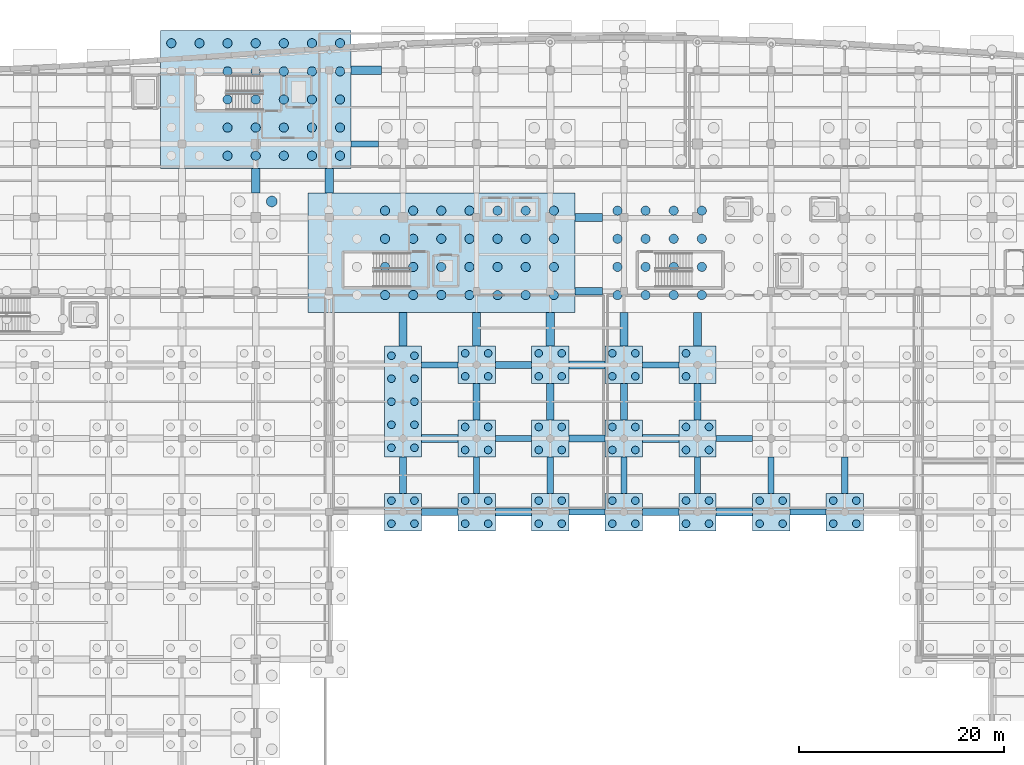
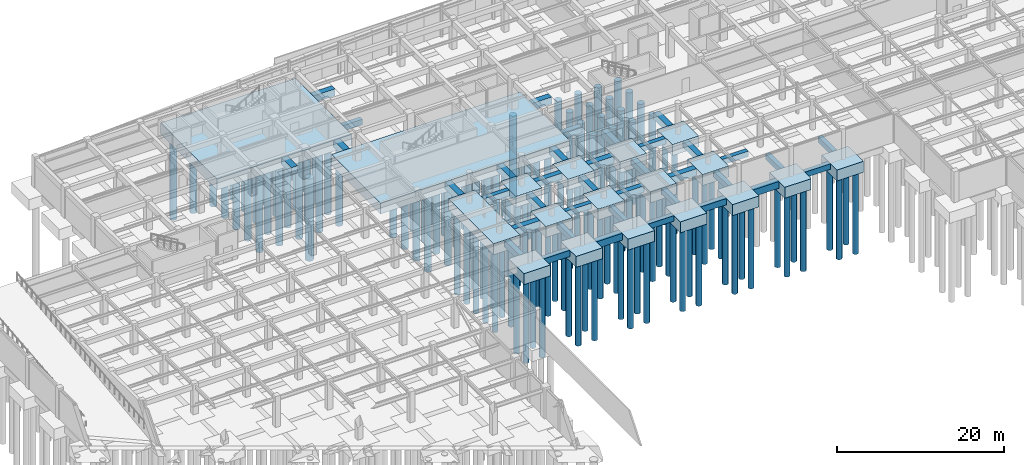
# One storey, part 6 of 48: 140 piles, 55 footings.
"""IFC4 building model written with IfcOpenShell, lengths in metres."""

from ifc_helpers import new_model, si_unit, direction, frame, origin, origin_2d, place, context, subcontext, project, spatial, rectangle, circle, extrude, material, material_profile, profile_set, type_object, element, save


model = new_model("IFC4")

# Units and contexts
model_context = context("Model", 3, precision=1e-05, world=origin(), true_north=direction((0.0, 1.0)))
body_context = subcontext(model_context, "Body", "Model", "MODEL_VIEW")
ifc_project = project(units=[si_unit("LENGTHUNIT", "METRE"), si_unit("AREAUNIT", "SQUARE_METRE"), si_unit("VOLUMEUNIT", "CUBIC_METRE"), si_unit("PLANEANGLEUNIT", "RADIAN"), si_unit("MASSUNIT", "GRAM", prefix="KILO")], contexts=[model_context])

# Site, building, storey
site_placement = place(None, origin())
site = spatial("IfcSite", under=ifc_project, at=site_placement, CompositionType="ELEMENT")
building_placement = place(site_placement, origin())
building = spatial("IfcBuilding", under=site, at=building_placement, Name="Carrowvane Square Congress Hotel", CompositionType="ELEMENT")
storey_placement = place(building_placement, frame((0.0, 0.0, -4.5)))
storey = spatial("IfcBuildingStorey", under=building, at=storey_placement, Name="B01", CompositionType="ELEMENT", Elevation=-4.5)

# Footings
ifc_material_1 = material(Name="Concrete C35/45", Category="concrete")
ifc_material_profile_1 = material_profile(ifc_material_1, rectangle(XDim=0.60009765625, YDim=0.800048828125, at=origin_2d()), Name="RC 600x800")
ifc_profile_set_1 = profile_set([ifc_material_profile_1], Name="Concrete C35/45")
footing_type_1 = type_object("IfcFootingType", Name="FTG-BM-600x800", PredefinedType="FOOTING_BEAM", material=ifc_profile_set_1)
for number, where, z_axis, x_axis, name in (
    (1, (83.60009765625, 72.02490234375, -0.39990234375), (0.0, 1.0, 0.0), (-1.0, 0.0, 0.0), "Ground tie beam 111"),
    (2, (90.800048828125, 72.02490234375, -0.39990234375), (0.0, 1.0, 0.0), (-1.0, 0.0, 0.0), "Ground tie beam 116"),
    (3, (98.0, 72.02490234375, -0.39990234375), (0.0, 1.0, 0.0), (-1.0, 0.0, 0.0), "Ground tie beam 121"),
    (4, (105.199951171875, 72.02490234375, -0.39990234375), (0.0, 1.0, 0.0), (-1.0, 0.0, 0.0), "Ground tie beam 126"),
    (5, (112.39990234375, 72.02490234375, -0.39990234375), (0.0, 1.0, 0.0), (-1.0, 0.0, 0.0), "Ground tie beam 131"),
    (6, (119.60009765625, 72.02490234375, -0.39990234375), (0.0, 1.0, 0.0), (-1.0, 0.0, 0.0), "Ground tie beam 136"),
    (7, (92.625, 70.199951171875, -0.39990234375), (1.0, 0.0, 0.0), (0.0, 1.0, 0.0), "Ground tie beam 379"),
):
    element("IfcFooting", number, at=place(storey_placement, frame(where, z_axis=z_axis, x_axis=x_axis)), inside=storey, type_object=footing_type_1, Name=name, PredefinedType="FOOTING_BEAM", context=body_context, shape_type="SweptSolid", body=[
        extrude(rectangle(XDim=0.60009765625, YDim=0.800048828125, at=origin_2d()), origin(), (0.0, 0.0, 1.0), 3.550048828125),
    ])
footing_1_placement = place(storey_placement, frame((114.22509765625, 70.199951171875, -0.39990234375), z_axis=(1.0, 0.0, 0.0), x_axis=(0.0, 1.0, 0.0)))
element("IfcFooting", 8, at=footing_1_placement, inside=storey, type_object=footing_type_1, Name="Ground tie beam 382", PredefinedType="FOOTING_BEAM", context=body_context, shape_type="SweptSolid", body=[
    extrude(rectangle(XDim=0.60009765625, YDim=0.800048828125, at=origin_2d()), origin(), (0.0, 0.0, 1.0), 3.5498046875),
])
for number, where, z_axis, x_axis, name in (
    (9, (85.425048828125, 77.39990234375, -0.39990234375), (1.0, 0.0, 0.0), (0.0, 1.0, 0.0), "Ground tie beam 402"),
    (10, (107.02490234375, 77.39990234375, -0.39990234375), (1.0, 0.0, 0.0), (0.0, 1.0, 0.0), "Ground tie beam 405"),
):
    element("IfcFooting", number, at=place(storey_placement, frame(where, z_axis=z_axis, x_axis=x_axis)), inside=storey, type_object=footing_type_1, Name=name, PredefinedType="FOOTING_BEAM", context=body_context, shape_type="SweptSolid", body=[
        extrude(rectangle(XDim=0.60009765625, YDim=0.800048828125, at=origin_2d()), origin(), (0.0, 0.0, 1.0), 3.550048828125),
    ])
footing_2_placement = place(storey_placement, frame((78.22509765625, 84.60009765625, -0.39990234375), z_axis=(1.0, 0.0, 0.0), x_axis=(0.0, 1.0, 0.0)))
element("IfcFooting", 11, at=footing_2_placement, inside=storey, type_object=footing_type_1, Name="Ground tie beam 425", PredefinedType="FOOTING_BEAM", context=body_context, shape_type="SweptSolid", body=[
    extrude(rectangle(XDim=0.60009765625, YDim=0.800048828125, at=origin_2d()), origin(), (0.0, 0.0, 1.0), 3.5498046875),
])
footing_3_placement = place(storey_placement, frame((99.824951171875, 84.60009765625, -0.39990234375), z_axis=(1.0, 0.0, 0.0), x_axis=(0.0, 1.0, 0.0)))
element("IfcFooting", 12, at=footing_3_placement, inside=storey, type_object=footing_type_1, Name="Ground tie beam 428", PredefinedType="FOOTING_BEAM", context=body_context, shape_type="SweptSolid", body=[
    extrude(rectangle(XDim=0.60009765625, YDim=0.800048828125, at=origin_2d()), origin(), (0.0, 0.0, 1.0), 3.550048828125),
])
footing_4_placement = place(storey_placement, frame((71.300048828125, 106.199951171875, -0.39990234375), z_axis=(1.0, 0.0, 0.0), x_axis=(0.0, 1.0, 0.0)))
element("IfcFooting", 13, at=footing_4_placement, inside=storey, type_object=footing_type_1, Name="Ground tie beam 467", PredefinedType="FOOTING_BEAM", context=body_context, shape_type="SweptSolid", body=[
    extrude(rectangle(XDim=0.60009765625, YDim=0.800048828125, at=origin_2d()), origin(), (0.0, 0.0, 1.0), 2.699951171875),
])
ifc_material_2 = material(Name="Concrete C35/45", Category="concrete")
ifc_material_profile_2 = material_profile(ifc_material_2, rectangle(XDim=0.699951171875, YDim=0.89990234375, at=origin_2d()), Name="RC 700x900")
ifc_profile_set_2 = profile_set([ifc_material_profile_2], Name="Concrete C35/45")
footing_type_2 = type_object("IfcFootingType", Name="FTG-BM-700x900", PredefinedType="FOOTING_BEAM", material=ifc_profile_set_2)
footing_5_placement = place(storey_placement, frame((76.39990234375, 72.02490234375, -0.449951171875), z_axis=(0.0, 1.0, 0.0), x_axis=(-1.0, 0.0, 0.0)))
element("IfcFooting", 14, at=footing_5_placement, inside=storey, type_object=footing_type_2, Name="Ground tie beam 107", PredefinedType="FOOTING_BEAM", context=body_context, shape_type="SweptSolid", body=[
    extrude(rectangle(XDim=0.699951171875, YDim=0.89990234375, at=origin_2d()), origin(), (0.0, 0.0, 1.0), 3.550048828125),
])
for number, where, z_axis, x_axis, name in (
    (15, (83.60009765625, 79.22509765625, -0.449951171875), (0.0, 1.0, 0.0), (-1.0, 0.0, 0.0), "Ground tie beam 112"),
    (16, (90.800048828125, 79.22509765625, -0.449951171875), (0.0, 1.0, 0.0), (-1.0, 0.0, 0.0), "Ground tie beam 117"),
    (17, (98.0, 79.22509765625, -0.449951171875), (0.0, 1.0, 0.0), (-1.0, 0.0, 0.0), "Ground tie beam 122"),
    (18, (105.199951171875, 79.22509765625, -0.449951171875), (0.0, 1.0, 0.0), (-1.0, 0.0, 0.0), "Ground tie beam 127"),
    (19, (78.22509765625, 70.199951171875, -0.449951171875), (1.0, 0.0, 0.0), (0.0, 1.0, 0.0), "Ground tie beam 377"),
):
    element("IfcFooting", number, at=place(storey_placement, frame(where, z_axis=z_axis, x_axis=x_axis)), inside=storey, type_object=footing_type_2, Name=name, PredefinedType="FOOTING_BEAM", context=body_context, shape_type="SweptSolid", body=[
        extrude(rectangle(XDim=0.699951171875, YDim=0.89990234375, at=origin_2d()), origin(), (0.0, 0.0, 1.0), 3.5498046875),
    ])
for number, where, z_axis, x_axis, name in (
    (20, (99.824951171875, 70.199951171875, -0.449951171875), (1.0, 0.0, 0.0), (0.0, 1.0, 0.0), "Ground tie beam 380"),
    (21, (92.625, 77.39990234375, -0.449951171875), (1.0, 0.0, 0.0), (0.0, 1.0, 0.0), "Ground tie beam 403"),
    (22, (85.425048828125, 84.60009765625, -0.449951171875), (1.0, 0.0, 0.0), (0.0, 1.0, 0.0), "Ground tie beam 426"),
):
    element("IfcFooting", number, at=place(storey_placement, frame(where, z_axis=z_axis, x_axis=x_axis)), inside=storey, type_object=footing_type_2, Name=name, PredefinedType="FOOTING_BEAM", context=body_context, shape_type="SweptSolid", body=[
        extrude(rectangle(XDim=0.699951171875, YDim=0.89990234375, at=origin_2d()), origin(), (0.0, 0.0, 1.0), 3.550048828125),
    ])
footing_6_placement = place(storey_placement, frame((93.199951171875, 91.800048828125, -0.449951171875), z_axis=(1.0, 0.0, 0.0), x_axis=(0.0, 1.0, 0.0)))
element("IfcFooting", 23, at=footing_6_placement, inside=storey, type_object=footing_type_2, Name="Ground tie beam 446", PredefinedType="FOOTING_BEAM", context=body_context, shape_type="SweptSolid", body=[
    extrude(rectangle(XDim=0.699951171875, YDim=0.89990234375, at=origin_2d()), origin(), (0.0, 0.0, 1.0), 2.699951171875),
])
ifc_material_3 = material(Name="Concrete C35/45", Category="concrete")
ifc_material_profile_3 = material_profile(ifc_material_3, rectangle(XDim=0.800048828125, YDim=1.0, at=origin_2d()), Name="RC 800x1000")
ifc_profile_set_3 = profile_set([ifc_material_profile_3], Name="Concrete C35/45")
footing_type_3 = type_object("IfcFootingType", Name="FTG-BM-800x1000", PredefinedType="FOOTING_BEAM", material=ifc_profile_set_3)
for number, where, z_axis, x_axis, name in (
    (24, (62.0, 101.39990234375, -0.5), (0.0, 1.0, 0.0), (-1.0, 0.0, 0.0), "Ground tie beam 101"),
    (25, (69.199951171875, 101.39990234375, -0.5), (0.0, 1.0, 0.0), (-1.0, 0.0, 0.0), "Ground tie beam 106"),
):
    element("IfcFooting", number, at=place(storey_placement, frame(where, z_axis=z_axis, x_axis=x_axis)), inside=storey, type_object=footing_type_3, Name=name, PredefinedType="FOOTING_BEAM", context=body_context, shape_type="SweptSolid", body=[
        extrude(rectangle(XDim=0.800048828125, YDim=1.0, at=origin_2d()), origin(), (0.0, 0.0, 1.0), 2.400146484375),
    ])
for number, where, z_axis, x_axis, name in (
    (26, (76.39990234375, 86.425048828125, -0.5), (0.0, 1.0, 0.0), (-1.0, 0.0, 0.0), "Ground tie beam 108"),
    (27, (83.60009765625, 86.425048828125, -0.5), (0.0, 1.0, 0.0), (-1.0, 0.0, 0.0), "Ground tie beam 113"),
    (28, (90.800048828125, 86.425048828125, -0.5), (0.0, 1.0, 0.0), (-1.0, 0.0, 0.0), "Ground tie beam 118"),
    (29, (98.0, 86.425048828125, -0.5), (0.0, 1.0, 0.0), (-1.0, 0.0, 0.0), "Ground tie beam 123"),
    (30, (105.199951171875, 86.425048828125, -0.5), (0.0, 1.0, 0.0), (-1.0, 0.0, 0.0), "Ground tie beam 128"),
):
    element("IfcFooting", number, at=place(storey_placement, frame(where, z_axis=z_axis, x_axis=x_axis)), inside=storey, type_object=footing_type_3, Name=name, PredefinedType="FOOTING_BEAM", context=body_context, shape_type="SweptSolid", body=[
        extrude(rectangle(XDim=0.800048828125, YDim=1.0, at=origin_2d()), origin(), (0.0, 0.0, 1.0), 3.27490234375),
    ])
for number, where, z_axis, x_axis, name in (
    (31, (85.425048828125, 70.199951171875, -0.5), (1.0, 0.0, 0.0), (0.0, 1.0, 0.0), "Ground tie beam 378"),
    (32, (107.02490234375, 70.199951171875, -0.5), (1.0, 0.0, 0.0), (0.0, 1.0, 0.0), "Ground tie beam 381"),
):
    element("IfcFooting", number, at=place(storey_placement, frame(where, z_axis=z_axis, x_axis=x_axis)), inside=storey, type_object=footing_type_3, Name=name, PredefinedType="FOOTING_BEAM", context=body_context, shape_type="SweptSolid", body=[
        extrude(rectangle(XDim=0.800048828125, YDim=1.0, at=origin_2d()), origin(), (0.0, 0.0, 1.0), 3.550048828125),
    ])
footing_7_placement = place(storey_placement, frame((78.22509765625, 77.39990234375, -0.5), z_axis=(1.0, 0.0, 0.0), x_axis=(0.0, 1.0, 0.0)))
element("IfcFooting", 33, at=footing_7_placement, inside=storey, type_object=footing_type_3, Name="Ground tie beam 401", PredefinedType="FOOTING_BEAM", context=body_context, shape_type="SweptSolid", body=[
    extrude(rectangle(XDim=0.800048828125, YDim=1.0, at=origin_2d()), origin(), (0.0, 0.0, 1.0), 3.5498046875),
])
for number, where, z_axis, x_axis, name in (
    (34, (99.824951171875, 77.39990234375, -0.5), (1.0, 0.0, 0.0), (0.0, 1.0, 0.0), "Ground tie beam 404"),
    (35, (92.625, 84.60009765625, -0.5), (1.0, 0.0, 0.0), (0.0, 1.0, 0.0), "Ground tie beam 427"),
):
    element("IfcFooting", number, at=place(storey_placement, frame(where, z_axis=z_axis, x_axis=x_axis)), inside=storey, type_object=footing_type_3, Name=name, PredefinedType="FOOTING_BEAM", context=body_context, shape_type="SweptSolid", body=[
        extrude(rectangle(XDim=0.800048828125, YDim=1.0, at=origin_2d()), origin(), (0.0, 0.0, 1.0), 3.550048828125),
    ])
footing_8_placement = place(storey_placement, frame((93.199951171875, 99.0, -0.5), z_axis=(1.0, 0.0, 0.0), x_axis=(0.0, 1.0, 0.0)))
element("IfcFooting", 36, at=footing_8_placement, inside=storey, type_object=footing_type_3, Name="Ground tie beam 458", PredefinedType="FOOTING_BEAM", context=body_context, shape_type="SweptSolid", body=[
    extrude(rectangle(XDim=0.800048828125, YDim=1.0, at=origin_2d()), origin(), (0.0, 0.0, 1.0), 2.699951171875),
])
footing_9_placement = place(storey_placement, frame((71.300048828125, 113.39990234375, -0.5), z_axis=(1.0, 0.0, 0.0), x_axis=(0.0, 1.0, 0.0)))
element("IfcFooting", 37, at=footing_9_placement, inside=storey, type_object=footing_type_3, Name="Ground tie beam 483", PredefinedType="FOOTING_BEAM", context=body_context, shape_type="SweptSolid", body=[
    extrude(rectangle(XDim=0.800048828125, YDim=1.0, at=origin_2d()), origin(), (0.0, 0.0, 1.0), 3.0),
])
ifc_material_4 = material(Name="Concrete C35/45", Category="concrete")
footing_type_4 = type_object("IfcFootingType", Name="FTG-PC-02", PredefinedType="PILE_CAP", material=ifc_material_4)
for number, where, z_axis, x_axis, name in (
    (38, (76.39990234375, 70.199951171875, -1.60009765625), (0.0, 0.0, 1.0), (1.0, 0.0, 0.0), "B01 PC-2 153"),
    (39, (83.60009765625, 70.199951171875, -1.60009765625), (0.0, 0.0, 1.0), (1.0, 0.0, 0.0), "B01 PC-2 154"),
    (40, (90.800048828125, 70.199951171875, -1.60009765625), (0.0, 0.0, 1.0), (1.0, 0.0, 0.0), "B01 PC-2 155"),
    (41, (98.0, 70.199951171875, -1.60009765625), (0.0, 0.0, 1.0), (1.0, 0.0, 0.0), "B01 PC-2 156"),
    (42, (105.199951171875, 70.199951171875, -1.60009765625), (0.0, 0.0, 1.0), (1.0, 0.0, 0.0), "B01 PC-2 157"),
    (43, (112.39990234375, 70.199951171875, -1.60009765625), (0.0, 0.0, 1.0), (1.0, 0.0, 0.0), "B01 PC-2 158"),
    (44, (119.60009765625, 70.199951171875, -1.60009765625), (0.0, 0.0, 1.0), (1.0, 0.0, 0.0), "B01 PC-2 159"),
    (45, (83.60009765625, 77.39990234375, -1.60009765625), (0.0, 0.0, 1.0), (1.0, 0.0, 0.0), "B01 PC-2 179"),
    (46, (90.800048828125, 77.39990234375, -1.60009765625), (0.0, 0.0, 1.0), (1.0, 0.0, 0.0), "B01 PC-2 180"),
    (47, (98.0, 77.39990234375, -1.60009765625), (0.0, 0.0, 1.0), (1.0, 0.0, 0.0), "B01 PC-2 181"),
    (48, (105.199951171875, 77.39990234375, -1.60009765625), (0.0, 0.0, 1.0), (1.0, 0.0, 0.0), "B01 PC-2 182"),
    (49, (83.60009765625, 84.60009765625, -1.60009765625), (0.0, 0.0, 1.0), (1.0, 0.0, 0.0), "B01 PC-2 202"),
    (50, (90.800048828125, 84.60009765625, -1.60009765625), (0.0, 0.0, 1.0), (1.0, 0.0, 0.0), "B01 PC-2 203"),
    (51, (98.0, 84.60009765625, -1.60009765625), (0.0, 0.0, 1.0), (1.0, 0.0, 0.0), "B01 PC-2 204"),
    (52, (105.199951171875, 84.60009765625, -1.60009765625), (0.0, 0.0, 1.0), (1.0, 0.0, 0.0), "B01 PC-2 205"),
):
    element("IfcFooting", number, at=place(storey_placement, frame(where, z_axis=z_axis, x_axis=x_axis)), inside=storey, type_object=footing_type_4, Name=name, PredefinedType="PILE_CAP", context=body_context, shape_type="SweptSolid", body=[
        extrude(rectangle(XDim=3.64990234375, YDim=3.64990234375, at=origin_2d()), origin(), (0.0, 0.0, 1.0), 1.60009765625),
    ])
ifc_material_5 = material(Name="Concrete C35/45", Category="concrete")
footing_type_5 = type_object("IfcFootingType", Name="FTG-PC-03", PredefinedType="PILE_CAP", material=ifc_material_5)
footing_10_placement = place(storey_placement, frame((76.39990234375, 81.0, -1.60009765625), z_axis=(0.0, 0.0, 1.0), x_axis=(1.0, 0.0, 0.0)))
element("IfcFooting", 53, at=footing_10_placement, inside=storey, type_object=footing_type_5, Name="B01 PC-3 178", PredefinedType="PILE_CAP", context=body_context, shape_type="SweptSolid", body=[
    extrude(rectangle(XDim=3.64990234375, YDim=10.85009765625, at=origin_2d()), origin(), (0.0, 0.0, 1.0), 1.60009765625),
])
ifc_material_6 = material(Name="Concrete C35/45", Category="concrete")
footing_type_6 = type_object("IfcFootingType", Name="FTG-RAFT-03", PredefinedType="PILE_CAP", material=ifc_material_6)
footing_11_placement = place(storey_placement, frame((80.14990234375, 95.550048828125, -1.60009765625), z_axis=(0.0, 0.0, 1.0), x_axis=(1.0, 0.0, 0.0)))
element("IfcFooting", 54, at=footing_11_placement, inside=storey, type_object=footing_type_6, Name="B01 RF-3 219", PredefinedType="PILE_CAP", context=body_context, shape_type="SweptSolid", body=[
    extrude(rectangle(XDim=26.10009765625, YDim=11.699951171875, at=origin_2d()), origin(), (0.0, 0.0, 1.0), 1.60009765625),
])
ifc_material_7 = material(Name="Concrete C35/45", Category="concrete")
footing_type_7 = type_object("IfcFootingType", Name="FTG-RAFT-05", PredefinedType="PILE_CAP", material=ifc_material_7)
footing_12_placement = place(storey_placement, frame((62.0, 110.547119140625, -1.60009765625), z_axis=(0.0, 0.0, 1.0), x_axis=(1.0, 0.0, 0.0)))
element("IfcFooting", 55, at=footing_12_placement, inside=storey, type_object=footing_type_7, Name="B01 RF-5 241", PredefinedType="PILE_CAP", context=body_context, shape_type="SweptSolid", body=[
    extrude(rectangle(XDim=18.60009765625, YDim=13.493896484375, at=origin_2d()), origin(), (0.0, 0.0, 1.0), 1.60009765625),
])

# Piles
ifc_material_8 = material(Name="Concrete C35/45", Category="concrete")
ifc_material_profile_4 = material_profile(ifc_material_8, circle(Radius=0.52490234375, at=origin_2d()), Name="PILE D1050")
ifc_profile_set_4 = profile_set([ifc_material_profile_4], Name="Concrete C35/45")
pile_type_1 = type_object("IfcPileType", Name="PILE-B-1050", PredefinedType="BORED", material=ifc_profile_set_4)
pile_placement = place(storey_placement, frame((63.574951171875, 100.574951171875, -1.5), z_axis=(0.0, 0.0, -1.0), x_axis=(1.0, 0.0, 0.0)))
element("IfcPile", 56, at=pile_placement, inside=storey, type_object=pile_type_1, Name="Bored pile P-3-1053", PredefinedType="BORED", context=body_context, shape_type="SweptSolid", body=[
    extrude(circle(Radius=0.52490234375, at=origin_2d()), origin(), (0.0, 0.0, 1.0), 12.0),
])
ifc_material_9 = material(Name="Concrete C35/45", Category="concrete")
ifc_material_profile_5 = material_profile(ifc_material_9, circle(Radius=0.375, at=origin_2d()), Name="PILE D750")
ifc_profile_set_5 = profile_set([ifc_material_profile_5], Name="Concrete C35/45")
pile_type_2 = type_object("IfcPileType", Name="PILE-B-750", PredefinedType="BORED", material=ifc_profile_set_5)
for number, where, z_axis, x_axis, name in (
    (57, (75.27490234375, 69.074951171875, -1.5), (0.0, 0.0, -1.0), (1.0, 0.0, 0.0), "Bored pile P-1-0645"),
    (58, (75.27490234375, 71.324951171875, -1.5), (0.0, 0.0, -1.0), (1.0, 0.0, 0.0), "Bored pile P-1-0646"),
    (59, (77.52490234375, 69.074951171875, -1.5), (0.0, 0.0, -1.0), (1.0, 0.0, 0.0), "Bored pile P-1-0647"),
    (60, (77.52490234375, 71.324951171875, -1.5), (0.0, 0.0, -1.0), (1.0, 0.0, 0.0), "Bored pile P-1-0648"),
    (61, (82.47509765625, 69.074951171875, -1.5), (0.0, 0.0, -1.0), (1.0, 0.0, 0.0), "Bored pile P-1-0649"),
    (62, (82.47509765625, 71.324951171875, -1.5), (0.0, 0.0, -1.0), (1.0, 0.0, 0.0), "Bored pile P-1-0650"),
    (63, (84.72509765625, 69.074951171875, -1.5), (0.0, 0.0, -1.0), (1.0, 0.0, 0.0), "Bored pile P-1-0651"),
    (64, (84.72509765625, 71.324951171875, -1.5), (0.0, 0.0, -1.0), (1.0, 0.0, 0.0), "Bored pile P-1-0652"),
    (65, (89.675048828125, 69.074951171875, -1.5), (0.0, 0.0, -1.0), (1.0, 0.0, 0.0), "Bored pile P-1-0653"),
    (66, (89.675048828125, 71.324951171875, -1.5), (0.0, 0.0, -1.0), (1.0, 0.0, 0.0), "Bored pile P-1-0654"),
    (67, (91.925048828125, 69.074951171875, -1.5), (0.0, 0.0, -1.0), (1.0, 0.0, 0.0), "Bored pile P-1-0655"),
    (68, (91.925048828125, 71.324951171875, -1.5), (0.0, 0.0, -1.0), (1.0, 0.0, 0.0), "Bored pile P-1-0656"),
    (69, (96.875, 69.074951171875, -1.5), (0.0, 0.0, -1.0), (1.0, 0.0, 0.0), "Bored pile P-1-0657"),
    (70, (96.875, 71.324951171875, -1.5), (0.0, 0.0, -1.0), (1.0, 0.0, 0.0), "Bored pile P-1-0658"),
    (71, (99.125, 69.074951171875, -1.5), (0.0, 0.0, -1.0), (1.0, 0.0, 0.0), "Bored pile P-1-0659"),
    (72, (99.125, 71.324951171875, -1.5), (0.0, 0.0, -1.0), (1.0, 0.0, 0.0), "Bored pile P-1-0660"),
    (73, (104.074951171875, 69.074951171875, -1.5), (0.0, 0.0, -1.0), (1.0, 0.0, 0.0), "Bored pile P-1-0661"),
    (74, (104.074951171875, 71.324951171875, -1.5), (0.0, 0.0, -1.0), (1.0, 0.0, 0.0), "Bored pile P-1-0662"),
    (75, (106.324951171875, 69.074951171875, -1.5), (0.0, 0.0, -1.0), (1.0, 0.0, 0.0), "Bored pile P-1-0663"),
    (76, (106.324951171875, 71.324951171875, -1.5), (0.0, 0.0, -1.0), (1.0, 0.0, 0.0), "Bored pile P-1-0664"),
    (77, (111.27490234375, 69.074951171875, -1.5), (0.0, 0.0, -1.0), (1.0, 0.0, 0.0), "Bored pile P-1-0665"),
    (78, (111.27490234375, 71.324951171875, -1.5), (0.0, 0.0, -1.0), (1.0, 0.0, 0.0), "Bored pile P-1-0666"),
    (79, (113.52490234375, 69.074951171875, -1.5), (0.0, 0.0, -1.0), (1.0, 0.0, 0.0), "Bored pile P-1-0667"),
    (80, (113.52490234375, 71.324951171875, -1.5), (0.0, 0.0, -1.0), (1.0, 0.0, 0.0), "Bored pile P-1-0668"),
    (81, (118.47509765625, 69.074951171875, -1.5), (0.0, 0.0, -1.0), (1.0, 0.0, 0.0), "Bored pile P-1-0669"),
    (82, (118.47509765625, 71.324951171875, -1.5), (0.0, 0.0, -1.0), (1.0, 0.0, 0.0), "Bored pile P-1-0670"),
    (83, (120.72509765625, 69.074951171875, -1.5), (0.0, 0.0, -1.0), (1.0, 0.0, 0.0), "Bored pile P-1-0671"),
    (84, (120.72509765625, 71.324951171875, -1.5), (0.0, 0.0, -1.0), (1.0, 0.0, 0.0), "Bored pile P-1-0672"),
    (85, (75.27490234375, 76.5, -1.5), (0.0, 0.0, -1.0), (1.0, 0.0, 0.0), "Bored pile P-1-0751"),
    (86, (75.27490234375, 78.75, -1.5), (0.0, 0.0, -1.0), (1.0, 0.0, 0.0), "Bored pile P-1-0752"),
    (87, (75.27490234375, 81.0, -1.5), (0.0, 0.0, -1.0), (1.0, 0.0, 0.0), "Bored pile P-1-0753"),
    (88, (75.27490234375, 83.25, -1.5), (0.0, 0.0, -1.0), (1.0, 0.0, 0.0), "Bored pile P-1-0754"),
    (89, (75.27490234375, 85.5, -1.5), (0.0, 0.0, -1.0), (1.0, 0.0, 0.0), "Bored pile P-1-0755"),
    (90, (77.52490234375, 76.5, -1.5), (0.0, 0.0, -1.0), (1.0, 0.0, 0.0), "Bored pile P-1-0756"),
    (91, (77.52490234375, 78.75, -1.5), (0.0, 0.0, -1.0), (1.0, 0.0, 0.0), "Bored pile P-1-0757"),
    (92, (77.52490234375, 81.0, -1.5), (0.0, 0.0, -1.0), (1.0, 0.0, 0.0), "Bored pile P-1-0758"),
    (93, (77.52490234375, 83.25, -1.5), (0.0, 0.0, -1.0), (1.0, 0.0, 0.0), "Bored pile P-1-0759"),
    (94, (77.52490234375, 85.5, -1.5), (0.0, 0.0, -1.0), (1.0, 0.0, 0.0), "Bored pile P-1-0760"),
    (95, (82.47509765625, 76.27490234375, -1.5), (0.0, 0.0, -1.0), (1.0, 0.0, 0.0), "Bored pile P-1-0761"),
    (96, (82.47509765625, 78.52490234375, -1.5), (0.0, 0.0, -1.0), (1.0, 0.0, 0.0), "Bored pile P-1-0762"),
    (97, (84.72509765625, 76.27490234375, -1.5), (0.0, 0.0, -1.0), (1.0, 0.0, 0.0), "Bored pile P-1-0763"),
    (98, (84.72509765625, 78.52490234375, -1.5), (0.0, 0.0, -1.0), (1.0, 0.0, 0.0), "Bored pile P-1-0764"),
    (99, (89.675048828125, 76.27490234375, -1.5), (0.0, 0.0, -1.0), (1.0, 0.0, 0.0), "Bored pile P-1-0765"),
    (100, (89.675048828125, 78.52490234375, -1.5), (0.0, 0.0, -1.0), (1.0, 0.0, 0.0), "Bored pile P-1-0766"),
    (101, (91.925048828125, 76.27490234375, -1.5), (0.0, 0.0, -1.0), (1.0, 0.0, 0.0), "Bored pile P-1-0767"),
    (102, (91.925048828125, 78.52490234375, -1.5), (0.0, 0.0, -1.0), (1.0, 0.0, 0.0), "Bored pile P-1-0768"),
    (103, (96.875, 76.27490234375, -1.5), (0.0, 0.0, -1.0), (1.0, 0.0, 0.0), "Bored pile P-1-0769"),
    (104, (96.875, 78.52490234375, -1.5), (0.0, 0.0, -1.0), (1.0, 0.0, 0.0), "Bored pile P-1-0770"),
    (105, (99.125, 76.27490234375, -1.5), (0.0, 0.0, -1.0), (1.0, 0.0, 0.0), "Bored pile P-1-0771"),
    (106, (99.125, 78.52490234375, -1.5), (0.0, 0.0, -1.0), (1.0, 0.0, 0.0), "Bored pile P-1-0772"),
    (107, (104.074951171875, 76.27490234375, -1.5), (0.0, 0.0, -1.0), (1.0, 0.0, 0.0), "Bored pile P-1-0773"),
    (108, (104.074951171875, 78.52490234375, -1.5), (0.0, 0.0, -1.0), (1.0, 0.0, 0.0), "Bored pile P-1-0774"),
    (109, (106.324951171875, 76.27490234375, -1.5), (0.0, 0.0, -1.0), (1.0, 0.0, 0.0), "Bored pile P-1-0775"),
    (110, (106.324951171875, 78.52490234375, -1.5), (0.0, 0.0, -1.0), (1.0, 0.0, 0.0), "Bored pile P-1-0776"),
    (111, (82.47509765625, 83.47509765625, -1.5), (0.0, 0.0, -1.0), (1.0, 0.0, 0.0), "Bored pile P-1-0865"),
    (112, (82.47509765625, 85.72509765625, -1.5), (0.0, 0.0, -1.0), (1.0, 0.0, 0.0), "Bored pile P-1-0866"),
    (113, (84.72509765625, 83.47509765625, -1.5), (0.0, 0.0, -1.0), (1.0, 0.0, 0.0), "Bored pile P-1-0867"),
    (114, (84.72509765625, 85.72509765625, -1.5), (0.0, 0.0, -1.0), (1.0, 0.0, 0.0), "Bored pile P-1-0868"),
    (115, (89.675048828125, 83.47509765625, -1.5), (0.0, 0.0, -1.0), (1.0, 0.0, 0.0), "Bored pile P-1-0869"),
    (116, (89.675048828125, 85.72509765625, -1.5), (0.0, 0.0, -1.0), (1.0, 0.0, 0.0), "Bored pile P-1-0870"),
    (117, (91.925048828125, 83.47509765625, -1.5), (0.0, 0.0, -1.0), (1.0, 0.0, 0.0), "Bored pile P-1-0871"),
    (118, (91.925048828125, 85.72509765625, -1.5), (0.0, 0.0, -1.0), (1.0, 0.0, 0.0), "Bored pile P-1-0872"),
    (119, (96.875, 83.47509765625, -1.5), (0.0, 0.0, -1.0), (1.0, 0.0, 0.0), "Bored pile P-1-0873"),
    (120, (96.875, 85.72509765625, -1.5), (0.0, 0.0, -1.0), (1.0, 0.0, 0.0), "Bored pile P-1-0874"),
    (121, (99.125, 83.47509765625, -1.5), (0.0, 0.0, -1.0), (1.0, 0.0, 0.0), "Bored pile P-1-0875"),
    (122, (99.125, 85.72509765625, -1.5), (0.0, 0.0, -1.0), (1.0, 0.0, 0.0), "Bored pile P-1-0876"),
    (123, (104.074951171875, 83.47509765625, -1.5), (0.0, 0.0, -1.0), (1.0, 0.0, 0.0), "Bored pile P-1-0877"),
    (124, (104.074951171875, 85.72509765625, -1.5), (0.0, 0.0, -1.0), (1.0, 0.0, 0.0), "Bored pile P-1-0878"),
):
    element("IfcPile", number, at=place(storey_placement, frame(where, z_axis=z_axis, x_axis=x_axis)), inside=storey, type_object=pile_type_2, Name=name, PredefinedType="BORED", context=body_context, shape_type="SweptSolid", body=[
        extrude(circle(Radius=0.375, at=origin_2d()), origin(), (0.0, 0.0, 1.0), 12.0),
    ])
ifc_material_10 = material(Name="Concrete C35/45", Category="concrete")
ifc_material_profile_6 = material_profile(ifc_material_10, circle(Radius=0.449951171875, at=origin_2d()), Name="PILE D900")
ifc_profile_set_6 = profile_set([ifc_material_profile_6], Name="Concrete C35/45")
pile_type_3 = type_object("IfcPileType", Name="PILE-B-900", PredefinedType="BORED", material=ifc_profile_set_6)
for number, where, z_axis, x_axis, name in (
    (125, (74.64990234375, 91.425048828125, -1.5), (0.0, 0.0, -1.0), (1.0, 0.0, 0.0), "Bored pile P-2-0955"),
    (126, (74.64990234375, 94.175048828125, -1.5), (0.0, 0.0, -1.0), (1.0, 0.0, 0.0), "Bored pile P-2-0956"),
    (127, (74.64990234375, 96.925048828125, -1.5), (0.0, 0.0, -1.0), (1.0, 0.0, 0.0), "Bored pile P-2-0957"),
    (128, (74.64990234375, 99.675048828125, -1.5), (0.0, 0.0, -1.0), (1.0, 0.0, 0.0), "Bored pile P-2-0958"),
    (129, (77.39990234375, 91.425048828125, -1.5), (0.0, 0.0, -1.0), (1.0, 0.0, 0.0), "Bored pile P-2-0959"),
    (130, (77.39990234375, 94.175048828125, -1.5), (0.0, 0.0, -1.0), (1.0, 0.0, 0.0), "Bored pile P-2-0960"),
    (131, (77.39990234375, 96.925048828125, -1.5), (0.0, 0.0, -1.0), (1.0, 0.0, 0.0), "Bored pile P-2-0961"),
    (132, (77.39990234375, 99.675048828125, -1.5), (0.0, 0.0, -1.0), (1.0, 0.0, 0.0), "Bored pile P-2-0962"),
    (133, (80.14990234375, 91.425048828125, -1.5), (0.0, 0.0, -1.0), (1.0, 0.0, 0.0), "Bored pile P-2-0963"),
    (134, (80.14990234375, 94.175048828125, -1.5), (0.0, 0.0, -1.0), (1.0, 0.0, 0.0), "Bored pile P-2-0964"),
    (135, (80.14990234375, 96.925048828125, -1.5), (0.0, 0.0, -1.0), (1.0, 0.0, 0.0), "Bored pile P-2-0965"),
    (136, (80.14990234375, 99.675048828125, -1.5), (0.0, 0.0, -1.0), (1.0, 0.0, 0.0), "Bored pile P-2-0966"),
    (137, (82.89990234375, 91.425048828125, -1.5), (0.0, 0.0, -1.0), (1.0, 0.0, 0.0), "Bored pile P-2-0967"),
    (138, (82.89990234375, 94.175048828125, -1.5), (0.0, 0.0, -1.0), (1.0, 0.0, 0.0), "Bored pile P-2-0968"),
    (139, (82.89990234375, 96.925048828125, -1.5), (0.0, 0.0, -1.0), (1.0, 0.0, 0.0), "Bored pile P-2-0969"),
    (140, (82.89990234375, 99.675048828125, -1.5), (0.0, 0.0, -1.0), (1.0, 0.0, 0.0), "Bored pile P-2-0970"),
    (141, (85.64990234375, 91.425048828125, -1.5), (0.0, 0.0, -1.0), (1.0, 0.0, 0.0), "Bored pile P-2-0971"),
    (142, (85.64990234375, 94.175048828125, -1.5), (0.0, 0.0, -1.0), (1.0, 0.0, 0.0), "Bored pile P-2-0972"),
    (143, (85.64990234375, 96.925048828125, -1.5), (0.0, 0.0, -1.0), (1.0, 0.0, 0.0), "Bored pile P-2-0973"),
    (144, (85.64990234375, 99.675048828125, -1.5), (0.0, 0.0, -1.0), (1.0, 0.0, 0.0), "Bored pile P-2-0974"),
    (145, (88.39990234375, 91.425048828125, -1.5), (0.0, 0.0, -1.0), (1.0, 0.0, 0.0), "Bored pile P-2-0975"),
    (146, (88.39990234375, 94.175048828125, -1.5), (0.0, 0.0, -1.0), (1.0, 0.0, 0.0), "Bored pile P-2-0976"),
    (147, (88.39990234375, 96.925048828125, -1.5), (0.0, 0.0, -1.0), (1.0, 0.0, 0.0), "Bored pile P-2-0977"),
    (148, (88.39990234375, 99.675048828125, -1.5), (0.0, 0.0, -1.0), (1.0, 0.0, 0.0), "Bored pile P-2-0978"),
    (149, (91.14990234375, 91.425048828125, -1.5), (0.0, 0.0, -1.0), (1.0, 0.0, 0.0), "Bored pile P-2-0979"),
    (150, (91.14990234375, 94.175048828125, -1.5), (0.0, 0.0, -1.0), (1.0, 0.0, 0.0), "Bored pile P-2-0980"),
    (151, (91.14990234375, 96.925048828125, -1.5), (0.0, 0.0, -1.0), (1.0, 0.0, 0.0), "Bored pile P-2-0981"),
    (152, (91.14990234375, 99.675048828125, -1.5), (0.0, 0.0, -1.0), (1.0, 0.0, 0.0), "Bored pile P-2-0982"),
    (153, (97.375, 91.425048828125, -1.5), (0.0, 0.0, -1.0), (1.0, 0.0, 0.0), "Bored pile P-2-0983"),
    (154, (97.375, 94.175048828125, -1.5), (0.0, 0.0, -1.0), (1.0, 0.0, 0.0), "Bored pile P-2-0984"),
    (155, (97.375, 96.925048828125, -1.5), (0.0, 0.0, -1.0), (1.0, 0.0, 0.0), "Bored pile P-2-0985"),
    (156, (97.375, 99.675048828125, -1.5), (0.0, 0.0, -1.0), (1.0, 0.0, 0.0), "Bored pile P-2-0986"),
    (157, (100.125, 91.425048828125, -1.5), (0.0, 0.0, -1.0), (1.0, 0.0, 0.0), "Bored pile P-2-0987"),
    (158, (100.125, 94.175048828125, -1.5), (0.0, 0.0, -1.0), (1.0, 0.0, 0.0), "Bored pile P-2-0988"),
    (159, (100.125, 96.925048828125, -1.5), (0.0, 0.0, -1.0), (1.0, 0.0, 0.0), "Bored pile P-2-0989"),
    (160, (100.125, 99.675048828125, -1.5), (0.0, 0.0, -1.0), (1.0, 0.0, 0.0), "Bored pile P-2-0990"),
    (161, (102.875, 91.425048828125, -1.5), (0.0, 0.0, -1.0), (1.0, 0.0, 0.0), "Bored pile P-2-0991"),
    (162, (102.875, 94.175048828125, -1.5), (0.0, 0.0, -1.0), (1.0, 0.0, 0.0), "Bored pile P-2-0992"),
    (163, (102.875, 96.925048828125, -1.5), (0.0, 0.0, -1.0), (1.0, 0.0, 0.0), "Bored pile P-2-0993"),
    (164, (102.875, 99.675048828125, -1.5), (0.0, 0.0, -1.0), (1.0, 0.0, 0.0), "Bored pile P-2-0994"),
    (165, (105.625, 91.425048828125, -1.5), (0.0, 0.0, -1.0), (1.0, 0.0, 0.0), "Bored pile P-2-0995"),
    (166, (105.625, 94.175048828125, -1.5), (0.0, 0.0, -1.0), (1.0, 0.0, 0.0), "Bored pile P-2-0996"),
    (167, (105.625, 96.925048828125, -1.5), (0.0, 0.0, -1.0), (1.0, 0.0, 0.0), "Bored pile P-2-0997"),
    (168, (105.625, 99.675048828125, -1.5), (0.0, 0.0, -1.0), (1.0, 0.0, 0.0), "Bored pile P-2-0998"),
    (169, (53.75, 116.047119140625, -1.5), (0.0, 0.0, -1.0), (1.0, 0.0, 0.0), "Bored pile P-2-1071"),
    (170, (56.5, 116.047119140625, -1.5), (0.0, 0.0, -1.0), (1.0, 0.0, 0.0), "Bored pile P-2-1076"),
    (171, (59.25, 105.047119140625, -1.5), (0.0, 0.0, -1.0), (1.0, 0.0, 0.0), "Bored pile P-2-1077"),
    (172, (59.25, 107.797119140625, -1.5), (0.0, 0.0, -1.0), (1.0, 0.0, 0.0), "Bored pile P-2-1078"),
    (173, (59.25, 110.547119140625, -1.5), (0.0, 0.0, -1.0), (1.0, 0.0, 0.0), "Bored pile P-2-1079"),
    (174, (59.25, 113.297119140625, -1.5), (0.0, 0.0, -1.0), (1.0, 0.0, 0.0), "Bored pile P-2-1080"),
    (175, (59.25, 116.047119140625, -1.5), (0.0, 0.0, -1.0), (1.0, 0.0, 0.0), "Bored pile P-2-1081"),
    (176, (62.0, 105.047119140625, -1.5), (0.0, 0.0, -1.0), (1.0, 0.0, 0.0), "Bored pile P-2-1082"),
    (177, (62.0, 107.797119140625, -1.5), (0.0, 0.0, -1.0), (1.0, 0.0, 0.0), "Bored pile P-2-1083"),
    (178, (62.0, 110.547119140625, -1.5), (0.0, 0.0, -1.0), (1.0, 0.0, 0.0), "Bored pile P-2-1084"),
    (179, (62.0, 113.297119140625, -1.5), (0.0, 0.0, -1.0), (1.0, 0.0, 0.0), "Bored pile P-2-1085"),
    (180, (62.0, 116.047119140625, -1.5), (0.0, 0.0, -1.0), (1.0, 0.0, 0.0), "Bored pile P-2-1086"),
    (181, (64.75, 105.047119140625, -1.5), (0.0, 0.0, -1.0), (1.0, 0.0, 0.0), "Bored pile P-2-1087"),
    (182, (64.75, 107.797119140625, -1.5), (0.0, 0.0, -1.0), (1.0, 0.0, 0.0), "Bored pile P-2-1088"),
    (183, (64.75, 110.547119140625, -1.5), (0.0, 0.0, -1.0), (1.0, 0.0, 0.0), "Bored pile P-2-1089"),
    (184, (64.75, 113.297119140625, -1.5), (0.0, 0.0, -1.0), (1.0, 0.0, 0.0), "Bored pile P-2-1090"),
    (185, (64.75, 116.047119140625, -1.5), (0.0, 0.0, -1.0), (1.0, 0.0, 0.0), "Bored pile P-2-1091"),
    (186, (67.5, 105.047119140625, -1.5), (0.0, 0.0, -1.0), (1.0, 0.0, 0.0), "Bored pile P-2-1092"),
    (187, (67.5, 107.797119140625, -1.5), (0.0, 0.0, -1.0), (1.0, 0.0, 0.0), "Bored pile P-2-1093"),
    (188, (67.5, 110.547119140625, -1.5), (0.0, 0.0, -1.0), (1.0, 0.0, 0.0), "Bored pile P-2-1094"),
    (189, (67.5, 113.297119140625, -1.5), (0.0, 0.0, -1.0), (1.0, 0.0, 0.0), "Bored pile P-2-1095"),
    (190, (67.5, 116.047119140625, -1.5), (0.0, 0.0, -1.0), (1.0, 0.0, 0.0), "Bored pile P-2-1096"),
    (191, (70.25, 105.047119140625, -1.5), (0.0, 0.0, -1.0), (1.0, 0.0, 0.0), "Bored pile P-2-1097"),
    (192, (70.25, 107.797119140625, -1.5), (0.0, 0.0, -1.0), (1.0, 0.0, 0.0), "Bored pile P-2-1098"),
    (193, (70.25, 110.547119140625, -1.5), (0.0, 0.0, -1.0), (1.0, 0.0, 0.0), "Bored pile P-2-1099"),
    (194, (70.25, 113.297119140625, -1.5), (0.0, 0.0, -1.0), (1.0, 0.0, 0.0), "Bored pile P-2-1100"),
    (195, (70.25, 116.047119140625, -1.5), (0.0, 0.0, -1.0), (1.0, 0.0, 0.0), "Bored pile P-2-1101"),
):
    element("IfcPile", number, at=place(storey_placement, frame(where, z_axis=z_axis, x_axis=x_axis)), inside=storey, type_object=pile_type_3, Name=name, PredefinedType="BORED", context=body_context, shape_type="SweptSolid", body=[
        extrude(circle(Radius=0.449951171875, at=origin_2d()), origin(), (0.0, 0.0, 1.0), 12.0),
    ])

save(model, "model.ifc")
